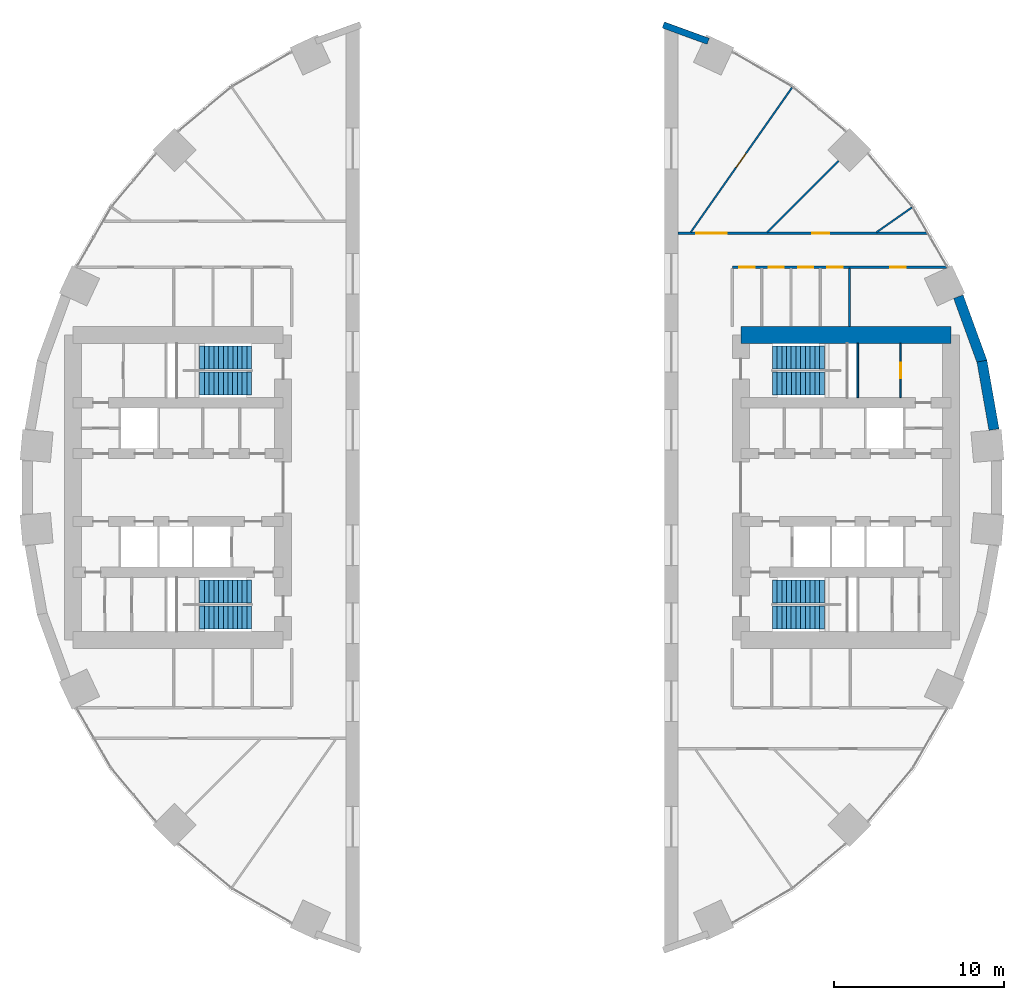
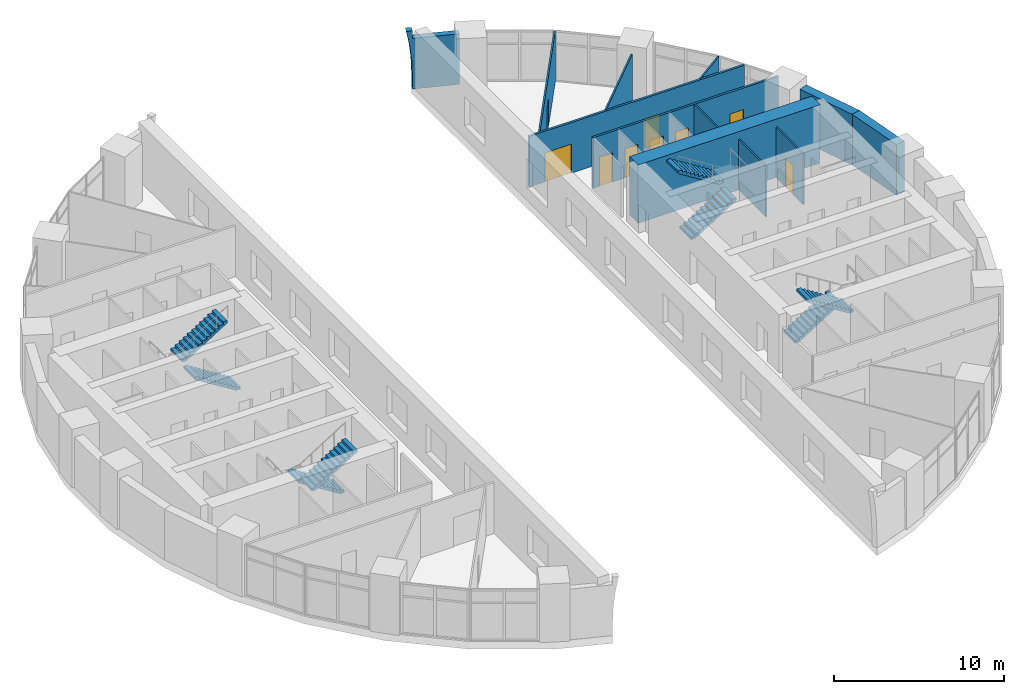
# One storey, part 12 of 13: 12 walls, 9 doors, 8 stair flights, 9 openings, 4 elements without a shape of their own.
"""IFC4 building model written with IfcOpenShell, lengths in metres."""

import ifcopenshell
import ifcopenshell.guid

model = None  # the IFC model being written
_history = None  # IfcOwnerHistory: only IFC2X3 demands one
_inside = {}  # id of a spatial element -> (the spatial element, [elements in it])
_under = {}  # id of a project, library or spatial element -> (it, [spatial elements below it])
_declared = {}  # id of a project -> (the project, [libraries it declares])
_typed = {}  # id of a type object -> (the type object, [elements of that type])
_made_of = {}  # id of a material, layer set ... -> (it, [elements and type objects made of it])


def new_model(schema):
    """Start an empty IFC model of exactly this schema.

    Asked for "IFC4X3", IfcOpenShell would pick the latest addendum, in which some entities
    have other attributes; the version numbers below select the first issue.
    IFC2X3 requires an IfcOwnerHistory on every rooted entity: one is made here for all.
    """
    global model, _history
    if schema == "IFC4X3":
        model = ifcopenshell.file(schema_version=(4, 3, 0, 0))
    else:
        model = ifcopenshell.file(schema=schema)
    _inside.clear()
    _under.clear()
    _declared.clear()
    _typed.clear()
    _made_of.clear()
    _history = None
    if model.schema == "IFC2X3":
        org = make("IfcOrganization", Name="unknown")
        user = make(
            "IfcPersonAndOrganization",
            ThePerson=make("IfcPerson", FamilyName="unknown"),
            TheOrganization=org,
        )
        app = make(
            "IfcApplication",
            ApplicationDeveloper=org,
            Version="unknown",
            ApplicationFullName="unknown",
            ApplicationIdentifier="unknown",
        )
        _history = make(
            "IfcOwnerHistory",
            OwningUser=user,
            OwningApplication=app,
            ChangeAction="ADDED",
            CreationDate=0,
        )
    return model


def make(cls, **values):
    """One entity of the class cls with the attributes given. An attribute that is None is left unset."""
    return model.create_entity(
        cls, **{name: value for name, value in values.items() if value is not None}
    )


def rooted(cls, **values):
    """An entity with a GlobalId (a new one), such as an element, a storey or a relation."""
    return make(cls, GlobalId=ifcopenshell.guid.new(), OwnerHistory=_history, **values)


def si_unit(unit_type, name, prefix=None):
    """IfcSIUnit, for example si_unit("LENGTHUNIT", "METRE", prefix="MILLI")."""
    return make("IfcSIUnit", UnitType=unit_type, Prefix=prefix, Name=name)


def assignment(units):
    """IfcUnitAssignment: the units of a project."""
    return None if units is None else make("IfcUnitAssignment", Units=units)


def point(xyz):
    """IfcCartesianPoint."""
    return None if xyz is None else make("IfcCartesianPoint", Coordinates=xyz)


def direction(xyz):
    """IfcDirection."""
    return None if xyz is None else make("IfcDirection", DirectionRatios=xyz)


def frame(location, z_axis=None, x_axis=None):
    """IfcAxis2Placement3D, a coordinate frame: its origin and axes. An axis left out is left unset."""
    return make(
        "IfcAxis2Placement3D",
        Location=point(location),
        Axis=direction(z_axis),
        RefDirection=direction(x_axis),
    )


def frame_2d(location, x_axis=None):
    """IfcAxis2Placement2D, a coordinate frame in the plane: its origin and x axis."""
    return make(
        "IfcAxis2Placement2D", Location=point(location), RefDirection=direction(x_axis)
    )


def origin():
    """The frame at (0, 0, 0) with its axes left unset."""
    return frame((0.0, 0.0, 0.0))


def place(relative_to, where):
    """IfcLocalPlacement: puts the frame where relative to a parent placement (None: the world)."""
    return make(
        "IfcLocalPlacement", PlacementRelTo=relative_to, RelativePlacement=where
    )


def context(
    kind, dimensions, precision=None, world=None, true_north=None, identifier=None
):
    """IfcGeometricRepresentationContext, for example the 3D "Model" context."""
    return make(
        "IfcGeometricRepresentationContext",
        ContextIdentifier=identifier,
        ContextType=kind,
        CoordinateSpaceDimension=dimensions,
        Precision=precision,
        WorldCoordinateSystem=world,
        TrueNorth=true_north,
    )


def subcontext(parent, identifier, kind, view, scale=None):
    """IfcGeometricRepresentationSubContext, for example "Body" below "Model"."""
    return make(
        "IfcGeometricRepresentationSubContext",
        ContextIdentifier=identifier,
        ContextType=kind,
        ParentContext=parent,
        TargetScale=scale,
        TargetView=view,
    )


def project(units=None, contexts=None):
    """IfcProject with its units and contexts."""
    return rooted(
        "IfcProject",
        Name="project",
        RepresentationContexts=contexts,
        UnitsInContext=assignment(units),
    )


def spatial(cls, under=None, at=None, **own):
    """A site, building, storey or space (cls), placed at a placement, below another one or the project."""
    s = rooted(cls, ObjectPlacement=at, **own)
    if under is not None:
        _under.setdefault(under.id(), (under, []))[1].append(s)
    return s


def polyline(points):
    """IfcPolyline through the points."""
    return make("IfcPolyline", Points=[point(p) for p in points])


def profile(cls, at=None, kind="AREA", **sizes):
    """A parametric profile (cls). Its sizes go by their IFC names, for example OverallWidth=200.0."""
    return make(cls, ProfileType=kind, Position=at, **sizes)


def rectangle(**sizes):
    """IfcRectangleProfileDef."""
    return profile("IfcRectangleProfileDef", **sizes)


def outline(outer, holes=None, kind="AREA"):
    """IfcArbitraryClosedProfileDef: a profile drawn as a closed curve; with holes, ...WithVoids."""
    if holes is None:
        return make("IfcArbitraryClosedProfileDef", ProfileType=kind, OuterCurve=outer)
    return make(
        "IfcArbitraryProfileDefWithVoids",
        ProfileType=kind,
        OuterCurve=outer,
        InnerCurves=holes,
    )


def extrude(swept, where, along, depth):
    """IfcExtrudedAreaSolid: the profile swept, set in the frame where, extruded along a direction by depth."""
    return make(
        "IfcExtrudedAreaSolid",
        SweptArea=swept,
        Position=where,
        ExtrudedDirection=direction(along),
        Depth=depth,
    )


def shape(context_of_items, identifier, shape_type, items):
    """IfcShapeRepresentation: the items that make up one representation, for example the "Body"."""
    return make(
        "IfcShapeRepresentation",
        ContextOfItems=context_of_items,
        RepresentationIdentifier=identifier,
        RepresentationType=shape_type,
        Items=items,
    )


def material(Name=None, Category=None):
    """IfcMaterial."""
    return make("IfcMaterial", Name=Name, Category=Category)


def layer(
    of_material, thickness, ventilated=None, Name=None, Category=None, Priority=None
):
    """IfcMaterialLayer: one layer of a wall or slab, of a material (None: an air gap)."""
    return make(
        "IfcMaterialLayer",
        Material=of_material,
        LayerThickness=thickness,
        IsVentilated=ventilated,
        Name=Name,
        Category=Category,
        Priority=Priority,
    )


def layer_set(layers, Name=None):
    """IfcMaterialLayerSet."""
    return make("IfcMaterialLayerSet", MaterialLayers=layers, LayerSetName=Name)


def made_of(thing, what):
    """Note that an element or type object is made of a material, layer set ...; save() writes the relation."""
    if what is not None:
        _made_of.setdefault(what.id(), (what, []))[1].append(thing)
    return thing


def type_object(cls, material=None, **own):
    """A type object (cls), such as IfcWallType, which elements share."""
    return made_of(rooted(cls, **own), material)


def element(
    cls,
    number,
    at=None,
    inside=None,
    cuts=None,
    type_object=None,
    material=None,
    context=None,
    identifier="Body",
    shape_type=None,
    held_by="IfcProductDefinitionShape",
    body=None,
    shapes=None,
    **own,
):
    """One element of the class cls, such as IfcWall. Its Tag is "e" and its number.

    at: its placement. inside: the storey or other place that contains it. cuts: it is an
    opening in that element (IfcRelVoidsElement). A single representation is given by context,
    identifier, shape_type and body (its items); several are given by shapes. held_by: the class
    of the entity that holds the representations. save() writes the other relations.
    """
    e = rooted(cls, Tag="e%d" % number, ObjectPlacement=at, **own)
    if body is not None:
        shapes = [shape(context, identifier, shape_type, body)]
    if shapes is not None:
        e.Representation = make(held_by, Representations=shapes)
    if inside is not None:
        _inside.setdefault(inside.id(), (inside, []))[1].append(e)
    if cuts is not None:
        rooted(
            "IfcRelVoidsElement", RelatingBuildingElement=cuts, RelatedOpeningElement=e
        )
    if type_object is not None:
        _typed.setdefault(type_object.id(), (type_object, []))[1].append(e)
    return made_of(e, material)


def fill(opening, filler):
    """IfcRelFillsElement: the door or window that sits in an opening."""
    return rooted(
        "IfcRelFillsElement",
        RelatingOpeningElement=opening,
        RelatedBuildingElement=filler,
    )


def aggregate(whole, parts):
    """IfcRelAggregates: a whole, such as a stair, and the parts it consists of."""
    return rooted("IfcRelAggregates", RelatingObject=whole, RelatedObjects=parts)


def save(model, path):
    """Write the relations noted so far, then the file.

    IfcRelAggregates (storeys below a building ...), IfcRelContainedInSpatialStructure (elements
    in a storey), IfcRelDefinesByType, IfcRelAssociatesMaterial and IfcRelDeclares: one each for
    every whole, place, type object, material and project.
    """
    for whole, parts in _under.values():
        aggregate(whole, parts)
    for where, things in _inside.values():
        rooted(
            "IfcRelContainedInSpatialStructure",
            RelatedElements=things,
            RelatingStructure=where,
        )
    for kind, things in _typed.values():
        rooted("IfcRelDefinesByType", RelatedObjects=things, RelatingType=kind)
    for what, things in _made_of.values():
        rooted("IfcRelAssociatesMaterial", RelatedObjects=things, RelatingMaterial=what)
    for by, libraries in _declared.values():
        rooted("IfcRelDeclares", RelatingContext=by, RelatedDefinitions=libraries)
    model.write(path)


model = new_model("IFC4")

# Units and contexts
model_context = context("Model", 3, precision=1e-05, world=origin(), true_north=direction((0.0, 1.0)))
body_context = subcontext(model_context, "Body", "Model", "MODEL_VIEW")
ifc_project = project(units=[si_unit("LENGTHUNIT", "METRE"), si_unit("AREAUNIT", "SQUARE_METRE"), si_unit("VOLUMEUNIT", "CUBIC_METRE"), si_unit("PLANEANGLEUNIT", "RADIAN"), si_unit("MASSUNIT", "GRAM", prefix="KILO")], contexts=[model_context])

# Site, building, storey
site_placement = place(None, origin())
site = spatial("IfcSite", under=ifc_project, at=site_placement, CompositionType="ELEMENT")
building_placement = place(site_placement, origin())
building = spatial("IfcBuilding", under=site, at=building_placement, Name="Saqina Gate Tower", CompositionType="ELEMENT")
storey_placement = place(building_placement, frame((0.0, 0.0, 5.0)))
storey = spatial("IfcBuildingStorey", under=building, at=storey_placement, Name="L01", CompositionType="ELEMENT", Elevation=5.0)

# Wall, opening, door
ifc_material_1 = material(Name="Gypsum board on steel studs", Category="steel")
ifc_layer_1 = layer(ifc_material_1, 0.10009765625)
ifc_layer_set_1 = layer_set([ifc_layer_1], Name="CORE PARTITION")
wall_type_1 = type_object("IfcWallType", Name="CORE PARTITION", PredefinedType="PARTITIONING", material=ifc_layer_set_1)
wall_1_placement = place(storey_placement, frame((22.919921875, 5.300048828125, 0.0), z_axis=(0.0, 0.0, 1.0), x_axis=(0.0, 1.0, 0.0)))
wall_1 = element("IfcWall", 1, at=wall_1_placement, inside=storey, type_object=wall_type_1, Name="L01-CP-E11", PredefinedType="PARTITIONING", context=body_context, shape_type="SweptSolid", body=[
    extrude(rectangle(XDim=3.199951171875, YDim=0.10009765625, at=frame_2d((1.60009765625, 0.0))), origin(), (0.0, 0.0, 1.0), 3.64990234375),
])
opening_1_placement = place(wall_1_placement, frame((1.14990234375, 0.0, 0.0)))
opening_1 = element("IfcOpeningElement", 2, at=opening_1_placement, cuts=wall_1, Name="Opening L01-D97", PredefinedType="OPENING", context=body_context, shape_type="SweptSolid", body=[
    extrude(rectangle(XDim=0.89990234375, YDim=2.10009765625, at=frame_2d((0.449951171875, 1.050048828125))), frame((0.0, 0.06201171875, 0.0), z_axis=(0.0, -1.0, 0.0), x_axis=(1.0, 0.0, 0.0)), (0.0, 0.0, 1.0), 0.1240234375),
])
ifc_material_2 = material(Name="Steel-framed fire door leaf, EI 60", Category="steel")
door_type_1 = type_object("IfcDoorType", Name="SERVICE ROOM DOOR 900", OperationType="SINGLE_SWING_LEFT", PredefinedType="DOOR", material=ifc_material_2)
door_1_placement = place(opening_1_placement, origin())
door_1 = element("IfcDoor", 3, at=door_1_placement, inside=storey, type_object=door_type_1, Name="L01-CD-E08", OperationType="SINGLE_SWING_LEFT", OverallHeight=2.10009765625, OverallWidth=0.89990234375, PredefinedType="DOOR", context=body_context, shape_type="SweptSolid", body=[
    extrude(rectangle(XDim=0.89990234375, YDim=2.10009765625, at=frame_2d((0.449951171875, 1.050048828125))), frame((0.0, 0.02490234375, 0.0), z_axis=(0.0, -1.0, 0.0), x_axis=(1.0, 0.0, 0.0)), (0.0, 0.0, 1.0), 0.050048828125),
])
fill(opening_1, door_1)

# Walls
ifc_material_3 = material(Name="Glazed ceramic tile", Category="ceramic")
ifc_layer_2 = layer(ifc_material_3, 0.3798828125)
ifc_layer_set_2 = layer_set([ifc_layer_2], Name="FW-ARCH")
wall_type_2 = type_object("IfcWallType", Name="FW-ARCH", PredefinedType="SOLIDWALL", material=ifc_layer_set_2)
wall_2_placement = place(storey_placement, frame((11.63720703125, 26.49755859375, 0.0), z_axis=(0.342010332624, 0.939694078188, 0.001992936543), x_axis=(-0.000670333127, -0.001876857341, 0.999998014028)))
element("IfcWall", 4, at=wall_2_placement, inside=storey, type_object=wall_type_2, Name="Arch frame wall L01 facet 7", PredefinedType="SOLIDWALL", context=body_context, shape_type="SweptSolid", body=[
    extrude(outline(polyline([(0.0, 0.0), (3.6499095617812474, -2.507217523872729e-19), (3.6498761175937697, -2.8100358094732503), (4.199926013516814, -2.8101672489599907), (4.199921767770513, -3.1707662556981404), (3.190644361514802, -2.9769599197016303), (2.098114383691035, -2.851734808217352), (0.9999682683270763, -2.810151568441391), (-3.344418747762033e-05, -2.8100358094732503), (0.0, 0.0)])), origin(), (0.0, 0.0, -1.0), 0.3798828125),
])
ifc_material_4 = material(Name="Glazed ceramic tile", Category="ceramic")
ifc_layer_3 = layer(ifc_material_4, 0.60009765625)
ifc_layer_set_3 = layer_set([ifc_layer_3], Name="FW-TILE")
wall_type_3 = type_object("IfcWallType", Name="FW-TILE", PredefinedType="SOLIDWALL", material=ifc_layer_set_3)
wall_3_placement = place(storey_placement, frame((27.72998046875, 7.403076171875, 0.0), z_axis=(0.0, 0.0, 1.0), x_axis=(-0.342034744565, 0.939687306241, 0.0)))
element("IfcWall", 5, at=wall_3_placement, inside=storey, type_object=wall_type_3, Name="Facade wall L01 facet 2", PredefinedType="SOLIDWALL", context=body_context, shape_type="SweptSolid", body=[
    extrude(rectangle(XDim=4.099365234375, YDim=0.60009765625, at=frame_2d((2.0498046875, 0.0))), origin(), (0.0, 0.0, 1.0), 3.64990234375),
])
ifc_material_5 = material(Name="Glazed ceramic tile (dark blue)", Category="ceramic")
ifc_layer_4 = layer(ifc_material_5, 0.60009765625)
ifc_layer_set_4 = layer_set([ifc_layer_4], Name="FW-TILE-CB")
wall_type_4 = type_object("IfcWallType", Name="FW-TILE-CB", PredefinedType="SOLIDWALL", material=ifc_layer_set_4)
wall_4_placement = place(storey_placement, frame((28.42822265625, 3.416748046875, 0.0), z_axis=(0.0, 0.0, 1.0), x_axis=(-0.173673210505, 0.984803338719, 0.0)))
element("IfcWall", 6, at=wall_4_placement, inside=storey, type_object=wall_type_4, Name="Facade wall L01 facet 1", PredefinedType="SOLIDWALL", context=body_context, shape_type="SweptSolid", body=[
    extrude(rectangle(XDim=4.09912109375, YDim=0.60009765625, at=frame_2d((2.049560546875, 0.0))), origin(), (0.0, 0.0, 1.0), 3.64990234375),
])
ifc_material_6 = material(Name="Gypsum board on steel studs, 100 mm", Category="steel")
ifc_layer_5 = layer(ifc_material_6, 0.10009765625)
ifc_layer_set_5 = layer_set([ifc_layer_5], Name="SPECIAL PARTITION 100")
wall_type_5 = type_object("IfcWallType", Name="SPECIAL PARTITION 100", PredefinedType="PARTITIONING", material=ifc_layer_set_5)
wall_5_placement = place(storey_placement, frame((21.4833984375, 15.04296875, 0.0), z_axis=(0.0, 0.0, 1.0), x_axis=(0.819102633098, 0.573646996376, 0.0)))
element("IfcWall", 7, at=wall_5_placement, inside=storey, type_object=wall_type_5, Name="PARTITION 014", PredefinedType="PARTITIONING", context=body_context, shape_type="SweptSolid", body=[
    extrude(rectangle(XDim=2.5732421875, YDim=0.10009765625, at=frame_2d((1.28662109375, 0.0))), origin(), (0.0, 0.0, 1.0), 3.64990234375),
])
wall_6_placement = place(storey_placement, frame((15.052978515625, 15.052978515625, 0.0), z_axis=(0.0, 0.0, 1.0), x_axis=(0.707106781187, 0.707106781187, 0.0)))
element("IfcWall", 8, at=wall_6_placement, inside=storey, type_object=wall_type_5, Name="PARTITION 016", PredefinedType="PARTITIONING", context=body_context, shape_type="SweptSolid", body=[
    extrude(rectangle(XDim=5.9521484375, YDim=0.10009765625, at=frame_2d((2.97607421875, 0.0))), origin(), (0.0, 0.0, 1.0), 3.64990234375),
])

# Wall, opening, door
wall_7_placement = place(storey_placement, frame((10.5458984375, 15.061279296875, 0.0), z_axis=(0.0, 0.0, 1.0), x_axis=(0.573610244327, 0.819128370649, 0.0)))
wall_7 = element("IfcWall", 9, at=wall_7_placement, inside=storey, type_object=wall_type_5, Name="PARTITION 018", PredefinedType="PARTITIONING", context=body_context, shape_type="SweptSolid", body=[
    extrude(rectangle(XDim=10.413330078125, YDim=0.10009765625, at=frame_2d((5.20654296875, 0.0))), origin(), (0.0, 0.0, 1.0), 3.64990234375),
])
opening_2_placement = place(wall_7_placement, frame((4.6689453125, 0.0, 0.0)))
opening_2 = element("IfcOpeningElement", 10, at=opening_2_placement, cuts=wall_7, Name="Opening L01-D08", PredefinedType="OPENING", context=body_context, shape_type="SweptSolid", body=[
    extrude(rectangle(XDim=1.0, YDim=2.10009765625, at=frame_2d((0.5, 1.050048828125))), frame((0.0, 0.06201171875, 0.0), z_axis=(0.0, -1.0, 0.0), x_axis=(1.0, 0.0, 0.0)), (0.0, 0.0, 1.0), 0.1240234375),
])
ifc_material_7 = material(Name="Timber door leaf", Category="wood")
door_type_2 = type_object("IfcDoorType", Name="SPECIAL DOOR 1000 TIMBER", OperationType="SINGLE_SWING_LEFT", PredefinedType="DOOR", material=ifc_material_7)
door_2_placement = place(opening_2_placement, origin())
door_2 = element("IfcDoor", 11, at=door_2_placement, inside=storey, type_object=door_type_2, Name="DOOR L01-D08", OperationType="SINGLE_SWING_LEFT", OverallHeight=2.10009765625, OverallWidth=1.0, PredefinedType="DOOR", context=body_context, shape_type="SweptSolid", body=[
    extrude(rectangle(XDim=1.0, YDim=2.10009765625, at=frame_2d((0.5, 1.050048828125))), frame((0.0, 0.02490234375, 0.0), z_axis=(0.0, -1.0, 0.0), x_axis=(1.0, 0.0, 0.0)), (0.0, 0.0, 1.0), 0.050048828125),
])
fill(opening_2, door_2)

# Wall
wall_8_placement = place(storey_placement, frame((19.909912109375, 9.5, 0.0), z_axis=(0.0, 0.0, 1.0), x_axis=(0.0, 1.0, 0.0)))
element("IfcWall", 12, at=wall_8_placement, inside=storey, type_object=wall_type_5, Name="PARTITION 020", PredefinedType="PARTITIONING", context=body_context, shape_type="SweptSolid", body=[
    extrude(rectangle(XDim=3.425048828125, YDim=0.10009765625, at=frame_2d((1.71240234375, 0.0))), origin(), (0.0, 0.0, 1.0), 3.64990234375),
])

# Wall, openings, doors
ifc_material_8 = material(Name="Gypsum board on steel studs, 150 mm, fire rated", Category="steel")
ifc_layer_6 = layer(ifc_material_8, 0.14990234375)
ifc_layer_set_6 = layer_set([ifc_layer_6], Name="SPECIAL PARTITION EI 30 150")
wall_type_6 = type_object("IfcWallType", Name="SPECIAL PARTITION EI 30 150", PredefinedType="PARTITIONING", material=ifc_layer_set_6)
wall_9_placement = place(storey_placement, frame((13.0, 13.0, 0.0), z_axis=(0.0, 0.0, 1.0), x_axis=(1.0, 0.0, 0.0)))
wall_9 = element("IfcWall", 13, at=wall_9_placement, inside=storey, type_object=wall_type_6, Name="PARTITION 011", PredefinedType="PARTITIONING", context=body_context, shape_type="SweptSolid", body=[
    extrude(rectangle(XDim=12.6220703125, YDim=0.14990234375, at=frame_2d((6.31103515625, 0.0))), origin(), (0.0, 0.0, 1.0), 3.64990234375),
])
opening_3_placement = place(wall_9_placement, frame((9.31591796875, 0.0, 0.0)))
opening_3 = element("IfcOpeningElement", 14, at=opening_3_placement, cuts=wall_9, Name="Opening L01-D01", PredefinedType="OPENING", context=body_context, shape_type="SweptSolid", body=[
    extrude(rectangle(XDim=0.89990234375, YDim=2.10009765625, at=frame_2d((0.449951171875, 1.050048828125))), frame((0.0, 0.0869140625, 0.0), z_axis=(0.0, -1.0, 0.0), x_axis=(1.0, 0.0, 0.0)), (0.0, 0.0, 1.0), 0.173828125),
])
opening_4_placement = place(wall_9_placement, frame((5.595947265625, 0.0, 0.0)))
opening_4 = element("IfcOpeningElement", 15, at=opening_4_placement, cuts=wall_9, Name="Opening L01-D02", PredefinedType="OPENING", context=body_context, shape_type="SweptSolid", body=[
    extrude(rectangle(XDim=0.89990234375, YDim=2.10009765625, at=frame_2d((0.449951171875, 1.050048828125))), frame((0.0, 0.0869140625, 0.0), z_axis=(0.0, -1.0, 0.0), x_axis=(1.0, 0.0, 0.0)), (0.0, 0.0, 1.0), 0.173828125),
])
opening_5_placement = place(wall_9_placement, frame((3.868408203125, 0.0, 0.0)))
opening_5 = element("IfcOpeningElement", 16, at=opening_5_placement, cuts=wall_9, Name="Opening L01-D03", PredefinedType="OPENING", context=body_context, shape_type="SweptSolid", body=[
    extrude(rectangle(XDim=0.89990234375, YDim=2.10009765625, at=frame_2d((0.449951171875, 1.050048828125))), frame((0.0, 0.0869140625, 0.0), z_axis=(0.0, -1.0, 0.0), x_axis=(1.0, 0.0, 0.0)), (0.0, 0.0, 1.0), 0.173828125),
])
opening_6_placement = place(wall_9_placement, frame((2.14111328125, 0.0, 0.0)))
opening_6 = element("IfcOpeningElement", 17, at=opening_6_placement, cuts=wall_9, Name="Opening L01-D05", PredefinedType="OPENING", context=body_context, shape_type="SweptSolid", body=[
    extrude(rectangle(XDim=0.89990234375, YDim=2.10009765625, at=frame_2d((0.449951171875, 1.050048828125))), frame((0.0, 0.0869140625, 0.0), z_axis=(0.0, -1.0, 0.0), x_axis=(1.0, 0.0, 0.0)), (0.0, 0.0, 1.0), 0.173828125),
])
opening_7_placement = place(wall_9_placement, frame((0.41357421875, 0.0, 0.0)))
opening_7 = element("IfcOpeningElement", 18, at=opening_7_placement, cuts=wall_9, Name="Opening L01-D06", PredefinedType="OPENING", context=body_context, shape_type="SweptSolid", body=[
    extrude(rectangle(XDim=0.89990234375, YDim=2.10009765625, at=frame_2d((0.449951171875, 1.050048828125))), frame((0.0, 0.0869140625, 0.0), z_axis=(0.0, -1.0, 0.0), x_axis=(1.0, 0.0, 0.0)), (0.0, 0.0, 1.0), 0.173828125),
])
ifc_material_9 = material(Name="Steel-framed fire door leaf, EI 30", Category="steel")
door_type_3 = type_object("IfcDoorType", Name="SPECIAL DOOR 900 FIRE EI 30", OperationType="SINGLE_SWING_LEFT", PredefinedType="DOOR", material=ifc_material_9)
door_3_placement = place(opening_3_placement, frame((0.89990234375, 0.0, 0.0), z_axis=(0.0, 0.0, 1.0), x_axis=(-1.0, 0.0, 0.0)))
door_3 = element("IfcDoor", 19, at=door_3_placement, inside=storey, type_object=door_type_3, Name="DOOR L01-D01", OperationType="SINGLE_SWING_LEFT", OverallHeight=2.10009765625, OverallWidth=0.89990234375, PredefinedType="DOOR", context=body_context, shape_type="SweptSolid", body=[
    extrude(rectangle(XDim=0.89990234375, YDim=2.10009765625, at=frame_2d((0.449951171875, 1.050048828125))), frame((0.0, 0.02490234375, 0.0), z_axis=(0.0, -1.0, 0.0), x_axis=(1.0, 0.0, 0.0)), (0.0, 0.0, 1.0), 0.050048828125),
])
fill(opening_3, door_3)
door_4_placement = place(opening_4_placement, frame((0.89990234375, 0.0, 0.0), z_axis=(0.0, 0.0, 1.0), x_axis=(-1.0, 0.0, 0.0)))
door_4 = element("IfcDoor", 20, at=door_4_placement, inside=storey, type_object=door_type_3, Name="DOOR L01-D02", OperationType="SINGLE_SWING_RIGHT", OverallHeight=2.10009765625, OverallWidth=0.89990234375, PredefinedType="DOOR", context=body_context, shape_type="SweptSolid", body=[
    extrude(rectangle(XDim=0.89990234375, YDim=2.10009765625, at=frame_2d((0.449951171875, 1.050048828125))), frame((0.0, 0.02490234375, 0.0), z_axis=(0.0, -1.0, 0.0), x_axis=(1.0, 0.0, 0.0)), (0.0, 0.0, 1.0), 0.050048828125),
])
fill(opening_4, door_4)
door_5_placement = place(opening_5_placement, frame((0.89990234375, 0.0, 0.0), z_axis=(0.0, 0.0, 1.0), x_axis=(-1.0, 0.0, 0.0)))
door_5 = element("IfcDoor", 21, at=door_5_placement, inside=storey, type_object=door_type_3, Name="DOOR L01-D03", OperationType="SINGLE_SWING_RIGHT", OverallHeight=2.10009765625, OverallWidth=0.89990234375, PredefinedType="DOOR", context=body_context, shape_type="SweptSolid", body=[
    extrude(rectangle(XDim=0.89990234375, YDim=2.10009765625, at=frame_2d((0.449951171875, 1.050048828125))), frame((0.0, 0.02490234375, 0.0), z_axis=(0.0, -1.0, 0.0), x_axis=(1.0, 0.0, 0.0)), (0.0, 0.0, 1.0), 0.050048828125),
])
fill(opening_5, door_5)
door_6_placement = place(opening_6_placement, frame((0.89990234375, 0.0, 0.0), z_axis=(0.0, 0.0, 1.0), x_axis=(-1.0, 0.0, 0.0)))
door_6 = element("IfcDoor", 22, at=door_6_placement, inside=storey, type_object=door_type_3, Name="DOOR L01-D05", OperationType="SINGLE_SWING_RIGHT", OverallHeight=2.10009765625, OverallWidth=0.89990234375, PredefinedType="DOOR", context=body_context, shape_type="SweptSolid", body=[
    extrude(rectangle(XDim=0.89990234375, YDim=2.10009765625, at=frame_2d((0.449951171875, 1.050048828125))), frame((0.0, 0.02490234375, 0.0), z_axis=(0.0, -1.0, 0.0), x_axis=(1.0, 0.0, 0.0)), (0.0, 0.0, 1.0), 0.050048828125),
])
fill(opening_6, door_6)
door_7_placement = place(opening_7_placement, frame((0.89990234375, 0.0, 0.0), z_axis=(0.0, 0.0, 1.0), x_axis=(-1.0, 0.0, 0.0)))
door_7 = element("IfcDoor", 23, at=door_7_placement, inside=storey, type_object=door_type_3, Name="DOOR L01-D06", OperationType="SINGLE_SWING_RIGHT", OverallHeight=2.10009765625, OverallWidth=0.89990234375, PredefinedType="DOOR", context=body_context, shape_type="SweptSolid", body=[
    extrude(rectangle(XDim=0.89990234375, YDim=2.10009765625, at=frame_2d((0.449951171875, 1.050048828125))), frame((0.0, 0.02490234375, 0.0), z_axis=(0.0, -1.0, 0.0), x_axis=(1.0, 0.0, 0.0)), (0.0, 0.0, 1.0), 0.050048828125),
])
fill(opening_7, door_7)

wall_10_placement = place(storey_placement, frame((9.800048828125, 15.0, 0.0), z_axis=(0.0, 0.0, 1.0), x_axis=(1.0, 0.0, 0.0)))
wall_10 = element("IfcWall", 24, at=wall_10_placement, inside=storey, type_object=wall_type_6, Name="PARTITION 012", PredefinedType="PARTITIONING", context=body_context, shape_type="SweptSolid", body=[
    extrude(rectangle(XDim=14.66796875, YDim=0.14990234375, at=frame_2d((7.333984375, 0.0))), origin(), (0.0, 0.0, 1.0), 3.64990234375),
])
opening_8_placement = place(wall_10_placement, frame((7.910888671875, 0.0, 0.0)))
opening_8 = element("IfcOpeningElement", 25, at=opening_8_placement, cuts=wall_10, Name="Opening L01-D04", PredefinedType="OPENING", context=body_context, shape_type="SweptSolid", body=[
    extrude(rectangle(XDim=1.0, YDim=2.10009765625, at=frame_2d((0.5, 1.050048828125))), frame((0.0, 0.0869140625, 0.0), z_axis=(0.0, -1.0, 0.0), x_axis=(1.0, 0.0, 0.0)), (0.0, 0.0, 1.0), 0.173828125),
])
opening_9_placement = place(wall_10_placement, frame((1.053466796875, 0.0, 0.0)))
opening_9 = element("IfcOpeningElement", 26, at=opening_9_placement, cuts=wall_10, Name="Opening L01-D07", PredefinedType="OPENING", context=body_context, shape_type="SweptSolid", body=[
    extrude(rectangle(XDim=1.800048828125, YDim=2.10009765625, at=frame_2d((0.89990234375, 1.050048828125))), frame((0.0, 0.0869140625, 0.0), z_axis=(0.0, -1.0, 0.0), x_axis=(1.0, 0.0, 0.0)), (0.0, 0.0, 1.0), 0.173828125),
])
ifc_material_10 = material(Name="Steel-framed fire door leaf, EI 30", Category="steel")
door_type_4 = type_object("IfcDoorType", Name="SPECIAL DOOR 1000 FIRE EI 30", OperationType="SINGLE_SWING_LEFT", PredefinedType="DOOR", material=ifc_material_10)
door_8_placement = place(opening_8_placement, origin())
door_8 = element("IfcDoor", 27, at=door_8_placement, inside=storey, type_object=door_type_4, Name="DOOR L01-D04", OperationType="SINGLE_SWING_RIGHT", OverallHeight=2.10009765625, OverallWidth=1.0, PredefinedType="DOOR", context=body_context, shape_type="SweptSolid", body=[
    extrude(rectangle(XDim=1.0, YDim=2.10009765625, at=frame_2d((0.5, 1.050048828125))), frame((0.0, 0.02490234375, 0.0), z_axis=(0.0, -1.0, 0.0), x_axis=(1.0, 0.0, 0.0)), (0.0, 0.0, 1.0), 0.050048828125),
])
fill(opening_8, door_8)
ifc_material_11 = material(Name="Steel-framed fire door leaf, EI 30", Category="steel")
door_type_5 = type_object("IfcDoorType", Name="SPECIAL DOUBLE DOOR 1800 FIRE EI 30", OperationType="DOUBLE_DOOR_SINGLE_SWING", PredefinedType="DOOR", material=ifc_material_11)
door_9_placement = place(opening_9_placement, frame((1.800048828125, 0.0, 0.0), z_axis=(0.0, 0.0, 1.0), x_axis=(-1.0, 0.0, 0.0)))
door_9 = element("IfcDoor", 28, at=door_9_placement, inside=storey, type_object=door_type_5, Name="DOOR L01-D07", OperationType="DOUBLE_DOOR_SINGLE_SWING", OverallHeight=2.10009765625, OverallWidth=1.800048828125, PredefinedType="DOOR", context=body_context, shape_type="SweptSolid", body=[
    extrude(rectangle(XDim=1.800048828125, YDim=2.10009765625, at=frame_2d((0.89990234375, 1.050048828125))), frame((0.0, 0.02490234375, 0.0), z_axis=(0.0, -1.0, 0.0), x_axis=(1.0, 0.0, 0.0)), (0.0, 0.0, 1.0), 0.050048828125),
])
fill(opening_9, door_9)

# Walls
ifc_material_12 = material(Name="Autoclaved aerated concrete block", Category="concrete")
ifc_layer_7 = layer(ifc_material_12, 0.10009765625)
ifc_layer_set_7 = layer_set([ifc_layer_7], Name="STAIR ENCLOSURE WALL")
wall_type_7 = type_object("IfcWallType", Name="STAIR ENCLOSURE WALL", PredefinedType="PARTITIONING", material=ifc_layer_set_7)
wall_11_placement = place(storey_placement, frame((20.389892578125, 5.300048828125, 0.0), z_axis=(0.0, 0.0, 1.0), x_axis=(0.0, 1.0, 0.0)))
element("IfcWall", 29, at=wall_11_placement, inside=storey, type_object=wall_type_7, Name="L01-CP-E10", PredefinedType="PARTITIONING", context=body_context, shape_type="SweptSolid", body=[
    extrude(rectangle(XDim=3.199951171875, YDim=0.10009765625, at=frame_2d((1.60009765625, 0.0))), origin(), (0.0, 0.0, 1.0), 3.64990234375),
])
ifc_material_13 = material(Name="Concrete C70/85", Category="concrete")
ifc_layer_8 = layer(ifc_material_13, 1.0)
ifc_layer_set_8 = layer_set([ifc_layer_8], Name="Concrete C70/85")
wall_type_8 = type_object("IfcWallType", Name="STR-CORE WALL-P-O", PredefinedType="SHEAR", material=ifc_layer_set_8)
wall_12_placement = place(storey_placement, frame((13.5, 9.0, 0.0), z_axis=(0.0, 0.0, 1.0), x_axis=(1.0, 0.0, 0.0)))
element("IfcWall", 30, at=wall_12_placement, inside=storey, type_object=wall_type_8, Name="CORE WALL L01 E-NE", PredefinedType="SHEAR", context=body_context, shape_type="SweptSolid", body=[
    extrude(rectangle(XDim=12.39990234375, YDim=1.0, at=frame_2d((6.199951171875, 0.0))), origin(), (0.0, 0.0, 1.0), 4.199951171875),
])

# Stair, stair flights
ifc_material_14 = material(Name="Concrete C40/50", Category="concrete")
stair_type = type_object("IfcStairType", Name="EXIT STAIR", PredefinedType="HALF_TURN_STAIR", material=ifc_material_14)
stair_1_placement = place(storey_placement, origin())
stair_1 = element("IfcStair", 31, at=stair_1_placement, inside=storey, type_object=stair_type, Name="EXIT STAIR 1", PredefinedType="HALF_TURN_STAIR")
ifc_material_15 = material(Name="Concrete C40/50", Category="concrete")
stair_flight_type = type_object("IfcStairFlightType", Name="EXIT STAIR FLIGHT", PredefinedType="STRAIGHT", material=ifc_material_15)
stair_flight_1_placement = place(storey_placement, frame((15.35009765625, 6.1416015625, 0.0), z_axis=(0.0, 0.0, 1.0), x_axis=(1.0, 0.0, 0.0)))
stair_flight_1 = element("IfcStairFlight", 32, at=stair_flight_1_placement, type_object=stair_flight_type, Name="EXIT STAIR 1 FLIGHT 1", NumberOfRisers=12, NumberOfTreads=11, PredefinedType="STRAIGHT", RiserHeight=0.175, TreadLength=0.28, context=body_context, shape_type="SweptSolid", body=[
    extrude(outline(polyline([(0.0, 0.0), (0.0, 0.175048828125), (0.280029296875, 0.175048828125), (0.280029296875, 0.35009765625), (0.56005859375, 0.35009765625), (0.56005859375, 0.52490234375), (0.840087890625, 0.52490234375), (0.840087890625, 0.699951171875), (1.1201171875, 0.699951171875), (1.1201171875, 0.875), (1.39990234375, 0.875), (1.39990234375, 1.050048828125), (1.679931640625, 1.050048828125), (1.679931640625, 1.22509765625), (1.9599609375, 1.22509765625), (1.9599609375, 1.39990234375), (2.239990234375, 1.39990234375), (2.239990234375, 1.574951171875), (2.52001953125, 1.574951171875), (2.52001953125, 1.75), (2.800048828125, 1.75), (2.800048828125, 1.925048828125), (3.080078125, 1.925048828125), (3.080078125, 2.10009765625), (3.080078125, 1.748291015625), (0.28271484375, 0.0), (0.0, 0.0)])), frame((0.0, 0.675048828125, 0.0), z_axis=(0.0, -1.0, 0.0), x_axis=(1.0, 0.0, 0.0)), (0.0, 0.0, 1.0), 1.35009765625),
])
stair_flight_2_placement = place(storey_placement, frame((18.429931640625, 7.658447265625, 2.10009765625), z_axis=(0.0, 0.0, 1.0), x_axis=(-1.0, 0.0, 0.0)))
stair_flight_2 = element("IfcStairFlight", 33, at=stair_flight_2_placement, type_object=stair_flight_type, Name="EXIT STAIR 1 FLIGHT 2", NumberOfRisers=12, NumberOfTreads=11, PredefinedType="STRAIGHT", RiserHeight=0.175, TreadLength=0.28, context=body_context, shape_type="SweptSolid", body=[
    extrude(outline(polyline([(0.0, 0.0), (0.0, 0.175048828125), (0.280029296875, 0.175048828125), (0.280029296875, 0.35009765625), (0.56005859375, 0.35009765625), (0.56005859375, 0.52490234375), (0.840087890625, 0.52490234375), (0.840087890625, 0.699951171875), (1.1201171875, 0.699951171875), (1.1201171875, 0.875), (1.39990234375, 0.875), (1.39990234375, 1.050048828125), (1.679931640625, 1.050048828125), (1.679931640625, 1.22509765625), (1.9599609375, 1.22509765625), (1.9599609375, 1.39990234375), (2.239990234375, 1.39990234375), (2.239990234375, 1.574951171875), (2.52001953125, 1.574951171875), (2.52001953125, 1.75), (2.800048828125, 1.75), (2.800048828125, 1.925048828125), (3.080078125, 1.925048828125), (3.080078125, 2.10009765625), (3.080078125, 1.748291015625), (0.28271484375, 0.0), (0.0, 0.0)])), frame((0.0, 0.675048828125, 0.0), z_axis=(0.0, -1.0, 0.0), x_axis=(1.0, 0.0, 0.0)), (0.0, 0.0, 1.0), 1.35009765625),
])
aggregate(stair_1, [stair_flight_1, stair_flight_2])

stair_2_placement = place(storey_placement, origin())
stair_2 = element("IfcStair", 34, at=stair_2_placement, inside=storey, type_object=stair_type, Name="EXIT STAIR 2", PredefinedType="HALF_TURN_STAIR")
stair_flight_3_placement = place(storey_placement, frame((15.35009765625, -6.1416015625, 0.0), z_axis=(0.0, 0.0, 1.0), x_axis=(1.0, 0.0, 0.0)))
stair_flight_3 = element("IfcStairFlight", 35, at=stair_flight_3_placement, type_object=stair_flight_type, Name="EXIT STAIR 2 FLIGHT 1", NumberOfRisers=12, NumberOfTreads=11, PredefinedType="STRAIGHT", RiserHeight=0.175, TreadLength=0.28, context=body_context, shape_type="SweptSolid", body=[
    extrude(outline(polyline([(0.0, 0.0), (0.0, 0.175048828125), (0.280029296875, 0.175048828125), (0.280029296875, 0.35009765625), (0.56005859375, 0.35009765625), (0.56005859375, 0.52490234375), (0.840087890625, 0.52490234375), (0.840087890625, 0.699951171875), (1.1201171875, 0.699951171875), (1.1201171875, 0.875), (1.39990234375, 0.875), (1.39990234375, 1.050048828125), (1.679931640625, 1.050048828125), (1.679931640625, 1.22509765625), (1.9599609375, 1.22509765625), (1.9599609375, 1.39990234375), (2.239990234375, 1.39990234375), (2.239990234375, 1.574951171875), (2.52001953125, 1.574951171875), (2.52001953125, 1.75), (2.800048828125, 1.75), (2.800048828125, 1.925048828125), (3.080078125, 1.925048828125), (3.080078125, 2.10009765625), (3.080078125, 1.748291015625), (0.28271484375, 0.0), (0.0, 0.0)])), frame((0.0, 0.675048828125, 0.0), z_axis=(0.0, -1.0, 0.0), x_axis=(1.0, 0.0, 0.0)), (0.0, 0.0, 1.0), 1.35009765625),
])
stair_flight_4_placement = place(storey_placement, frame((18.429931640625, -7.658447265625, 2.10009765625), z_axis=(0.0, 0.0, 1.0), x_axis=(-1.0, 0.0, 0.0)))
stair_flight_4 = element("IfcStairFlight", 36, at=stair_flight_4_placement, type_object=stair_flight_type, Name="EXIT STAIR 2 FLIGHT 2", NumberOfRisers=12, NumberOfTreads=11, PredefinedType="STRAIGHT", RiserHeight=0.175, TreadLength=0.28, context=body_context, shape_type="SweptSolid", body=[
    extrude(outline(polyline([(0.0, 0.0), (0.0, 0.175048828125), (0.280029296875, 0.175048828125), (0.280029296875, 0.35009765625), (0.56005859375, 0.35009765625), (0.56005859375, 0.52490234375), (0.840087890625, 0.52490234375), (0.840087890625, 0.699951171875), (1.1201171875, 0.699951171875), (1.1201171875, 0.875), (1.39990234375, 0.875), (1.39990234375, 1.050048828125), (1.679931640625, 1.050048828125), (1.679931640625, 1.22509765625), (1.9599609375, 1.22509765625), (1.9599609375, 1.39990234375), (2.239990234375, 1.39990234375), (2.239990234375, 1.574951171875), (2.52001953125, 1.574951171875), (2.52001953125, 1.75), (2.800048828125, 1.75), (2.800048828125, 1.925048828125), (3.080078125, 1.925048828125), (3.080078125, 2.10009765625), (3.080078125, 1.748291015625), (0.28271484375, 0.0), (0.0, 0.0)])), frame((0.0, 0.675048828125, 0.0), z_axis=(0.0, -1.0, 0.0), x_axis=(1.0, 0.0, 0.0)), (0.0, 0.0, 1.0), 1.35009765625),
])
aggregate(stair_2, [stair_flight_3, stair_flight_4])

stair_3_placement = place(storey_placement, origin())
stair_3 = element("IfcStair", 37, at=stair_3_placement, inside=storey, type_object=stair_type, Name="EXIT STAIR 3", PredefinedType="HALF_TURN_STAIR")
stair_flight_5_placement = place(storey_placement, frame((-15.35009765625, 6.1416015625, 0.0), z_axis=(0.0, 0.0, 1.0), x_axis=(-1.0, 0.0, 0.0)))
stair_flight_5 = element("IfcStairFlight", 38, at=stair_flight_5_placement, type_object=stair_flight_type, Name="EXIT STAIR 3 FLIGHT 1", NumberOfRisers=12, NumberOfTreads=11, PredefinedType="STRAIGHT", RiserHeight=0.175, TreadLength=0.28, context=body_context, shape_type="SweptSolid", body=[
    extrude(outline(polyline([(0.0, 0.0), (0.0, 0.175048828125), (0.280029296875, 0.175048828125), (0.280029296875, 0.35009765625), (0.56005859375, 0.35009765625), (0.56005859375, 0.52490234375), (0.840087890625, 0.52490234375), (0.840087890625, 0.699951171875), (1.1201171875, 0.699951171875), (1.1201171875, 0.875), (1.39990234375, 0.875), (1.39990234375, 1.050048828125), (1.679931640625, 1.050048828125), (1.679931640625, 1.22509765625), (1.9599609375, 1.22509765625), (1.9599609375, 1.39990234375), (2.239990234375, 1.39990234375), (2.239990234375, 1.574951171875), (2.52001953125, 1.574951171875), (2.52001953125, 1.75), (2.800048828125, 1.75), (2.800048828125, 1.925048828125), (3.080078125, 1.925048828125), (3.080078125, 2.10009765625), (3.080078125, 1.748291015625), (0.28271484375, 0.0), (0.0, 0.0)])), frame((0.0, 0.675048828125, 0.0), z_axis=(0.0, -1.0, 0.0), x_axis=(1.0, 0.0, 0.0)), (0.0, 0.0, 1.0), 1.35009765625),
])
stair_flight_6_placement = place(storey_placement, frame((-18.429931640625, 7.658447265625, 2.10009765625), z_axis=(0.0, 0.0, 1.0), x_axis=(1.0, 0.0, 0.0)))
stair_flight_6 = element("IfcStairFlight", 39, at=stair_flight_6_placement, type_object=stair_flight_type, Name="EXIT STAIR 3 FLIGHT 2", NumberOfRisers=12, NumberOfTreads=11, PredefinedType="STRAIGHT", RiserHeight=0.175, TreadLength=0.28, context=body_context, shape_type="SweptSolid", body=[
    extrude(outline(polyline([(0.0, 0.0), (0.0, 0.175048828125), (0.280029296875, 0.175048828125), (0.280029296875, 0.35009765625), (0.56005859375, 0.35009765625), (0.56005859375, 0.52490234375), (0.840087890625, 0.52490234375), (0.840087890625, 0.699951171875), (1.1201171875, 0.699951171875), (1.1201171875, 0.875), (1.39990234375, 0.875), (1.39990234375, 1.050048828125), (1.679931640625, 1.050048828125), (1.679931640625, 1.22509765625), (1.9599609375, 1.22509765625), (1.9599609375, 1.39990234375), (2.239990234375, 1.39990234375), (2.239990234375, 1.574951171875), (2.52001953125, 1.574951171875), (2.52001953125, 1.75), (2.800048828125, 1.75), (2.800048828125, 1.925048828125), (3.080078125, 1.925048828125), (3.080078125, 2.10009765625), (3.080078125, 1.748291015625), (0.28271484375, 0.0), (0.0, 0.0)])), frame((0.0, 0.675048828125, 0.0), z_axis=(0.0, -1.0, 0.0), x_axis=(1.0, 0.0, 0.0)), (0.0, 0.0, 1.0), 1.35009765625),
])
aggregate(stair_3, [stair_flight_5, stair_flight_6])

stair_4_placement = place(storey_placement, origin())
stair_4 = element("IfcStair", 40, at=stair_4_placement, inside=storey, type_object=stair_type, Name="EXIT STAIR 4", PredefinedType="HALF_TURN_STAIR")
stair_flight_7_placement = place(storey_placement, frame((-15.35009765625, -6.1416015625, 0.0), z_axis=(0.0, 0.0, 1.0), x_axis=(-1.0, 0.0, 0.0)))
stair_flight_7 = element("IfcStairFlight", 41, at=stair_flight_7_placement, type_object=stair_flight_type, Name="EXIT STAIR 4 FLIGHT 1", NumberOfRisers=12, NumberOfTreads=11, PredefinedType="STRAIGHT", RiserHeight=0.175, TreadLength=0.28, context=body_context, shape_type="SweptSolid", body=[
    extrude(outline(polyline([(0.0, 0.0), (0.0, 0.175048828125), (0.280029296875, 0.175048828125), (0.280029296875, 0.35009765625), (0.56005859375, 0.35009765625), (0.56005859375, 0.52490234375), (0.840087890625, 0.52490234375), (0.840087890625, 0.699951171875), (1.1201171875, 0.699951171875), (1.1201171875, 0.875), (1.39990234375, 0.875), (1.39990234375, 1.050048828125), (1.679931640625, 1.050048828125), (1.679931640625, 1.22509765625), (1.9599609375, 1.22509765625), (1.9599609375, 1.39990234375), (2.239990234375, 1.39990234375), (2.239990234375, 1.574951171875), (2.52001953125, 1.574951171875), (2.52001953125, 1.75), (2.800048828125, 1.75), (2.800048828125, 1.925048828125), (3.080078125, 1.925048828125), (3.080078125, 2.10009765625), (3.080078125, 1.748291015625), (0.28271484375, 0.0), (0.0, 0.0)])), frame((0.0, 0.675048828125, 0.0), z_axis=(0.0, -1.0, 0.0), x_axis=(1.0, 0.0, 0.0)), (0.0, 0.0, 1.0), 1.35009765625),
])
stair_flight_8_placement = place(storey_placement, frame((-18.429931640625, -7.658447265625, 2.10009765625), z_axis=(0.0, 0.0, 1.0), x_axis=(1.0, 0.0, 0.0)))
stair_flight_8 = element("IfcStairFlight", 42, at=stair_flight_8_placement, type_object=stair_flight_type, Name="EXIT STAIR 4 FLIGHT 2", NumberOfRisers=12, NumberOfTreads=11, PredefinedType="STRAIGHT", RiserHeight=0.175, TreadLength=0.28, context=body_context, shape_type="SweptSolid", body=[
    extrude(outline(polyline([(0.0, 0.0), (0.0, 0.175048828125), (0.280029296875, 0.175048828125), (0.280029296875, 0.35009765625), (0.56005859375, 0.35009765625), (0.56005859375, 0.52490234375), (0.840087890625, 0.52490234375), (0.840087890625, 0.699951171875), (1.1201171875, 0.699951171875), (1.1201171875, 0.875), (1.39990234375, 0.875), (1.39990234375, 1.050048828125), (1.679931640625, 1.050048828125), (1.679931640625, 1.22509765625), (1.9599609375, 1.22509765625), (1.9599609375, 1.39990234375), (2.239990234375, 1.39990234375), (2.239990234375, 1.574951171875), (2.52001953125, 1.574951171875), (2.52001953125, 1.75), (2.800048828125, 1.75), (2.800048828125, 1.925048828125), (3.080078125, 1.925048828125), (3.080078125, 2.10009765625), (3.080078125, 1.748291015625), (0.28271484375, 0.0), (0.0, 0.0)])), frame((0.0, 0.675048828125, 0.0), z_axis=(0.0, -1.0, 0.0), x_axis=(1.0, 0.0, 0.0)), (0.0, 0.0, 1.0), 1.35009765625),
])
aggregate(stair_4, [stair_flight_7, stair_flight_8])

save(model, "model.ifc")
